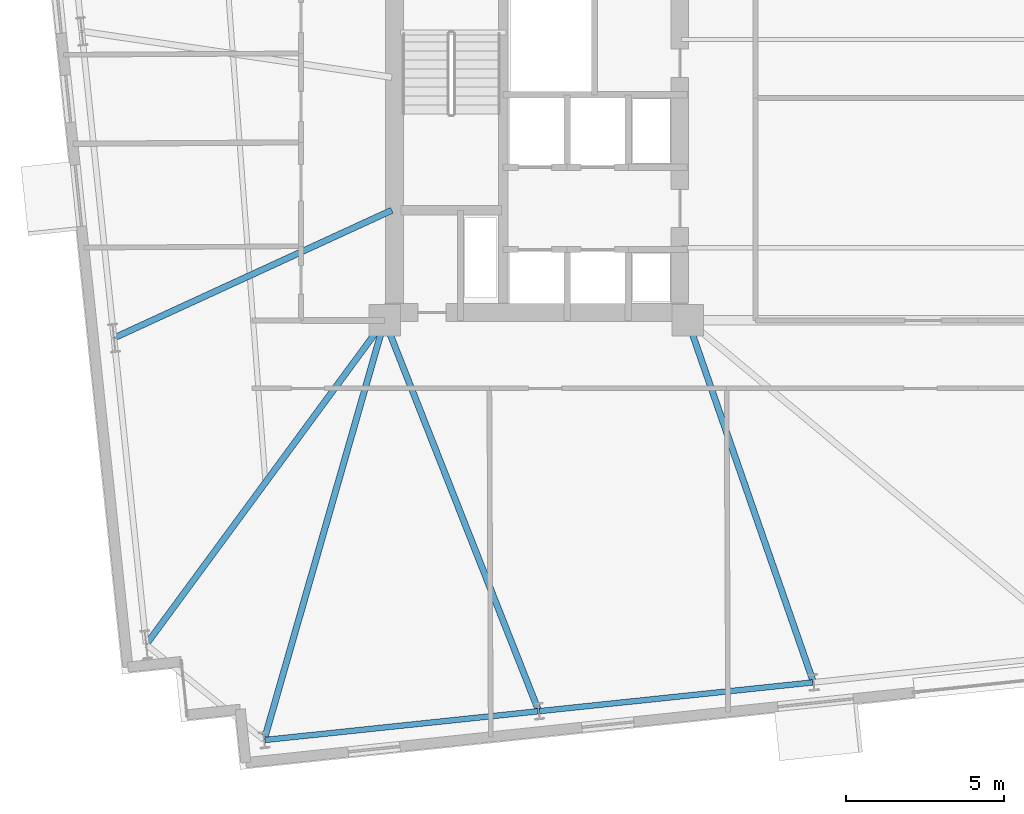
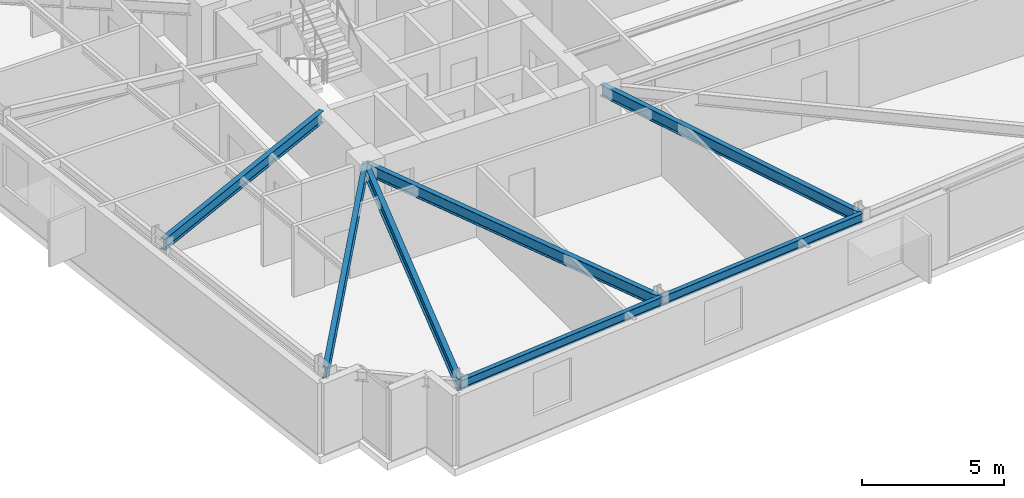
# One storey, part 5 of 23: 7 beams.
"""IFC4 building model written with IfcOpenShell, lengths in metres."""

import ifcopenshell
import ifcopenshell.guid

model = None  # the IFC model being written
_history = None  # IfcOwnerHistory: only IFC2X3 demands one
_inside = {}  # id of a spatial element -> (the spatial element, [elements in it])
_under = {}  # id of a project, library or spatial element -> (it, [spatial elements below it])
_declared = {}  # id of a project -> (the project, [libraries it declares])
_typed = {}  # id of a type object -> (the type object, [elements of that type])
_made_of = {}  # id of a material, layer set ... -> (it, [elements and type objects made of it])


def new_model(schema):
    """Start an empty IFC model of exactly this schema.

    Asked for "IFC4X3", IfcOpenShell would pick the latest addendum, in which some entities
    have other attributes; the version numbers below select the first issue.
    IFC2X3 requires an IfcOwnerHistory on every rooted entity: one is made here for all.
    """
    global model, _history
    if schema == "IFC4X3":
        model = ifcopenshell.file(schema_version=(4, 3, 0, 0))
    else:
        model = ifcopenshell.file(schema=schema)
    _inside.clear()
    _under.clear()
    _declared.clear()
    _typed.clear()
    _made_of.clear()
    _history = None
    if model.schema == "IFC2X3":
        org = make("IfcOrganization", Name="unknown")
        user = make(
            "IfcPersonAndOrganization",
            ThePerson=make("IfcPerson", FamilyName="unknown"),
            TheOrganization=org,
        )
        app = make(
            "IfcApplication",
            ApplicationDeveloper=org,
            Version="unknown",
            ApplicationFullName="unknown",
            ApplicationIdentifier="unknown",
        )
        _history = make(
            "IfcOwnerHistory",
            OwningUser=user,
            OwningApplication=app,
            ChangeAction="ADDED",
            CreationDate=0,
        )
    return model


def make(cls, **values):
    """One entity of the class cls with the attributes given. An attribute that is None is left unset."""
    return model.create_entity(
        cls, **{name: value for name, value in values.items() if value is not None}
    )


def rooted(cls, **values):
    """An entity with a GlobalId (a new one), such as an element, a storey or a relation."""
    return make(cls, GlobalId=ifcopenshell.guid.new(), OwnerHistory=_history, **values)


def si_unit(unit_type, name, prefix=None):
    """IfcSIUnit, for example si_unit("LENGTHUNIT", "METRE", prefix="MILLI")."""
    return make("IfcSIUnit", UnitType=unit_type, Prefix=prefix, Name=name)


def assignment(units):
    """IfcUnitAssignment: the units of a project."""
    return None if units is None else make("IfcUnitAssignment", Units=units)


def point(xyz):
    """IfcCartesianPoint."""
    return None if xyz is None else make("IfcCartesianPoint", Coordinates=xyz)


def direction(xyz):
    """IfcDirection."""
    return None if xyz is None else make("IfcDirection", DirectionRatios=xyz)


def frame(location, z_axis=None, x_axis=None):
    """IfcAxis2Placement3D, a coordinate frame: its origin and axes. An axis left out is left unset."""
    return make(
        "IfcAxis2Placement3D",
        Location=point(location),
        Axis=direction(z_axis),
        RefDirection=direction(x_axis),
    )


def frame_2d(location, x_axis=None):
    """IfcAxis2Placement2D, a coordinate frame in the plane: its origin and x axis."""
    return make(
        "IfcAxis2Placement2D", Location=point(location), RefDirection=direction(x_axis)
    )


def origin():
    """The frame at (0, 0, 0) with its axes left unset."""
    return frame((0.0, 0.0, 0.0))


def origin_2d():
    """The frame at (0, 0) in the plane with its x axis left unset."""
    return frame_2d((0.0, 0.0))


def place(relative_to, where):
    """IfcLocalPlacement: puts the frame where relative to a parent placement (None: the world)."""
    return make(
        "IfcLocalPlacement", PlacementRelTo=relative_to, RelativePlacement=where
    )


def context(
    kind, dimensions, precision=None, world=None, true_north=None, identifier=None
):
    """IfcGeometricRepresentationContext, for example the 3D "Model" context."""
    return make(
        "IfcGeometricRepresentationContext",
        ContextIdentifier=identifier,
        ContextType=kind,
        CoordinateSpaceDimension=dimensions,
        Precision=precision,
        WorldCoordinateSystem=world,
        TrueNorth=true_north,
    )


def subcontext(parent, identifier, kind, view, scale=None):
    """IfcGeometricRepresentationSubContext, for example "Body" below "Model"."""
    return make(
        "IfcGeometricRepresentationSubContext",
        ContextIdentifier=identifier,
        ContextType=kind,
        ParentContext=parent,
        TargetScale=scale,
        TargetView=view,
    )


def project(units=None, contexts=None):
    """IfcProject with its units and contexts."""
    return rooted(
        "IfcProject",
        Name="project",
        RepresentationContexts=contexts,
        UnitsInContext=assignment(units),
    )


def spatial(cls, under=None, at=None, **own):
    """A site, building, storey or space (cls), placed at a placement, below another one or the project."""
    s = rooted(cls, ObjectPlacement=at, **own)
    if under is not None:
        _under.setdefault(under.id(), (under, []))[1].append(s)
    return s


def profile(cls, at=None, kind="AREA", **sizes):
    """A parametric profile (cls). Its sizes go by their IFC names, for example OverallWidth=200.0."""
    return make(cls, ProfileType=kind, Position=at, **sizes)


def i_section(**sizes):
    """IfcIShapeProfileDef."""
    return profile("IfcIShapeProfileDef", **sizes)


def extrude(swept, where, along, depth):
    """IfcExtrudedAreaSolid: the profile swept, set in the frame where, extruded along a direction by depth."""
    return make(
        "IfcExtrudedAreaSolid",
        SweptArea=swept,
        Position=where,
        ExtrudedDirection=direction(along),
        Depth=depth,
    )


def shape(context_of_items, identifier, shape_type, items):
    """IfcShapeRepresentation: the items that make up one representation, for example the "Body"."""
    return make(
        "IfcShapeRepresentation",
        ContextOfItems=context_of_items,
        RepresentationIdentifier=identifier,
        RepresentationType=shape_type,
        Items=items,
    )


def material(Name=None, Category=None):
    """IfcMaterial."""
    return make("IfcMaterial", Name=Name, Category=Category)


def material_profile(
    of_material, cross_section, Name=None, Category=None, Priority=None
):
    """IfcMaterialProfile: a cross section and its material."""
    return make(
        "IfcMaterialProfile",
        Name=Name,
        Material=of_material,
        Profile=cross_section,
        Priority=Priority,
        Category=Category,
    )


def profile_set(profiles, Name=None, composite=None):
    """IfcMaterialProfileSet."""
    return make(
        "IfcMaterialProfileSet",
        Name=Name,
        MaterialProfiles=profiles,
        CompositeProfile=composite,
    )


def made_of(thing, what):
    """Note that an element or type object is made of a material, layer set ...; save() writes the relation."""
    if what is not None:
        _made_of.setdefault(what.id(), (what, []))[1].append(thing)
    return thing


def type_object(cls, material=None, **own):
    """A type object (cls), such as IfcWallType, which elements share."""
    return made_of(rooted(cls, **own), material)


def element(
    cls,
    number,
    at=None,
    inside=None,
    cuts=None,
    type_object=None,
    material=None,
    context=None,
    identifier="Body",
    shape_type=None,
    held_by="IfcProductDefinitionShape",
    body=None,
    shapes=None,
    **own,
):
    """One element of the class cls, such as IfcWall. Its Tag is "e" and its number.

    at: its placement. inside: the storey or other place that contains it. cuts: it is an
    opening in that element (IfcRelVoidsElement). A single representation is given by context,
    identifier, shape_type and body (its items); several are given by shapes. held_by: the class
    of the entity that holds the representations. save() writes the other relations.
    """
    e = rooted(cls, Tag="e%d" % number, ObjectPlacement=at, **own)
    if body is not None:
        shapes = [shape(context, identifier, shape_type, body)]
    if shapes is not None:
        e.Representation = make(held_by, Representations=shapes)
    if inside is not None:
        _inside.setdefault(inside.id(), (inside, []))[1].append(e)
    if cuts is not None:
        rooted(
            "IfcRelVoidsElement", RelatingBuildingElement=cuts, RelatedOpeningElement=e
        )
    if type_object is not None:
        _typed.setdefault(type_object.id(), (type_object, []))[1].append(e)
    return made_of(e, material)


def aggregate(whole, parts):
    """IfcRelAggregates: a whole, such as a stair, and the parts it consists of."""
    return rooted("IfcRelAggregates", RelatingObject=whole, RelatedObjects=parts)


def save(model, path):
    """Write the relations noted so far, then the file.

    IfcRelAggregates (storeys below a building ...), IfcRelContainedInSpatialStructure (elements
    in a storey), IfcRelDefinesByType, IfcRelAssociatesMaterial and IfcRelDeclares: one each for
    every whole, place, type object, material and project.
    """
    for whole, parts in _under.values():
        aggregate(whole, parts)
    for where, things in _inside.values():
        rooted(
            "IfcRelContainedInSpatialStructure",
            RelatedElements=things,
            RelatingStructure=where,
        )
    for kind, things in _typed.values():
        rooted("IfcRelDefinesByType", RelatedObjects=things, RelatingType=kind)
    for what, things in _made_of.values():
        rooted("IfcRelAssociatesMaterial", RelatedObjects=things, RelatingMaterial=what)
    for by, libraries in _declared.values():
        rooted("IfcRelDeclares", RelatingContext=by, RelatedDefinitions=libraries)
    model.write(path)


model = new_model("IFC4")

# Units and contexts
model_context = context("Model", 3, precision=1e-05, world=origin(), true_north=direction((0.0, 1.0)))
body_context = subcontext(model_context, "Body", "Model", "MODEL_VIEW")
ifc_project = project(units=[si_unit("LENGTHUNIT", "METRE"), si_unit("AREAUNIT", "SQUARE_METRE"), si_unit("VOLUMEUNIT", "CUBIC_METRE"), si_unit("PLANEANGLEUNIT", "RADIAN"), si_unit("MASSUNIT", "GRAM", prefix="KILO")], contexts=[model_context])

# Site, building, storey
site_placement = place(None, origin())
site = spatial("IfcSite", under=ifc_project, at=site_placement, CompositionType="ELEMENT")
building_placement = place(site_placement, origin())
building = spatial("IfcBuilding", under=site, at=building_placement, Name="Qobustan Lattice House", CompositionType="ELEMENT")
storey_placement = place(building_placement, frame((0.0, 0.0, 95.75)))
storey = spatial("IfcBuildingStorey", under=building, at=storey_placement, Name="L26", CompositionType="ELEMENT", Elevation=95.75)

# Beams
ifc_material_1 = material(Name="Steel S355", Category="steel")
ifc_material_profile_1 = material_profile(ifc_material_1, i_section(OverallWidth=0.199951171875, OverallDepth=0.5, WebThickness=0.01025390625, FlangeThickness=0.01611328125, FilletRadius=0.02099609375, at=origin_2d()), Name="IPE500")
ifc_profile_set_1 = profile_set([ifc_material_profile_1], Name="Steel S355")
beam_type_1 = type_object("IfcBeamType", Name="BM-FLG-IPE500", PredefinedType="USERDEFINED", material=ifc_profile_set_1)
beam_1_placement = place(storey_placement, frame((-22.612548828125, -18.87109375, 2.794921875), z_axis=(0.276115177845, 0.961124554136, 0.0), x_axis=(-0.961124554136, 0.276115177845, 0.0)))
element("IfcBeam", 1, at=beam_1_placement, inside=storey, type_object=beam_type_1, Name="L26 primary floor girder RAD-S1W", ObjectType="GIRDER", PredefinedType="USERDEFINED", context=body_context, shape_type="SweptSolid", body=[
    extrude(i_section(OverallWidth=0.199951171875, OverallDepth=0.5, WebThickness=0.01025390625, FlangeThickness=0.01611328125, FilletRadius=0.02099609375, at=origin_2d()), origin(), (0.0, 0.0, 1.0), 13.782958984375),
])
beam_2_placement = place(storey_placement, frame((-13.926513671875, -17.95703125, 2.794921875), z_axis=(-0.366884358141, 0.930266557365, 0.0), x_axis=(-0.930266557365, -0.366884358141, 0.0)))
element("IfcBeam", 2, at=beam_2_placement, inside=storey, type_object=beam_type_1, Name="L26 primary floor girder RAD-S2", ObjectType="GIRDER", PredefinedType="USERDEFINED", context=body_context, shape_type="SweptSolid", body=[
    extrude(i_section(OverallWidth=0.199951171875, OverallDepth=0.5, WebThickness=0.01025390625, FlangeThickness=0.01611328125, FilletRadius=0.02099609375, at=origin_2d()), origin(), (0.0, 0.0, 1.0), 13.25830078125),
])
beam_3_placement = place(storey_placement, frame((-5.223388671875, -17.0419921875, 2.794921875), z_axis=(-0.328289533586, 0.94457714462, 0.0), x_axis=(-0.94457714462, -0.328289533586, 0.0)))
element("IfcBeam", 3, at=beam_3_placement, inside=storey, type_object=beam_type_1, Name="L26 primary floor girder RAD-S3", ObjectType="GIRDER", PredefinedType="USERDEFINED", context=body_context, shape_type="SweptSolid", body=[
    extrude(i_section(OverallWidth=0.199951171875, OverallDepth=0.5, WebThickness=0.01025390625, FlangeThickness=0.01611328125, FilletRadius=0.02099609375, at=origin_2d()), origin(), (0.0, 0.0, 1.0), 12.08837890625),
])
beam_4_placement = place(storey_placement, frame((-27.3544921875, -6.1455078125, 2.794921875), z_axis=(0.908664928826, 0.417526103521, 0.0), x_axis=(-0.417526103521, 0.908664928826, 0.0)))
element("IfcBeam", 4, at=beam_4_placement, inside=storey, type_object=beam_type_1, Name="L26 primary floor girder RAD-W3", ObjectType="GIRDER", PredefinedType="USERDEFINED", context=body_context, shape_type="SweptSolid", body=[
    extrude(i_section(OverallWidth=0.199951171875, OverallDepth=0.5, WebThickness=0.01025390625, FlangeThickness=0.01611328125, FilletRadius=0.02099609375, at=origin_2d()), origin(), (0.0, 0.0, 1.0), 9.66455078125),
])
beam_5_placement = place(storey_placement, frame((-26.34130859375, -15.848876953125, 2.794921875), z_axis=(0.592669703312, 0.805445605101, 0.0), x_axis=(-0.805445605101, 0.592669703312, 0.0)))
element("IfcBeam", 5, at=beam_5_placement, inside=storey, type_object=beam_type_1, Name="L26 primary floor girder RAD-W4", ObjectType="GIRDER", PredefinedType="USERDEFINED", context=body_context, shape_type="SweptSolid", body=[
    extrude(i_section(OverallWidth=0.199951171875, OverallDepth=0.5, WebThickness=0.01025390625, FlangeThickness=0.01611328125, FilletRadius=0.02099609375, at=origin_2d()), origin(), (0.0, 0.0, 1.0), 12.699462890625),
])
ifc_material_2 = material(Name="Steel S355", Category="steel")
ifc_material_profile_2 = material_profile(ifc_material_2, i_section(OverallWidth=0.179931640625, OverallDepth=0.39990234375, WebThickness=0.008544921875, FlangeThickness=0.013427734375, FilletRadius=0.02099609375, at=origin_2d()), Name="IPE400")
ifc_profile_set_2 = profile_set([ifc_material_profile_2], Name="Steel S355")
beam_type_2 = type_object("IfcBeamType", Name="BM-SPD-IPE400", PredefinedType="SPANDREL", material=ifc_profile_set_2)
beam_6_placement = place(storey_placement, frame((-22.594482421875, -18.892333984375, 2.844970703125), z_axis=(0.994521279781, 0.10453432002, 0.0), x_axis=(-0.10453432002, 0.994521279781, 0.0)))
element("IfcBeam", 6, at=beam_6_placement, inside=storey, type_object=beam_type_2, Name="L26 perimeter spandrel S1-S2", PredefinedType="SPANDREL", context=body_context, shape_type="SweptSolid", body=[
    extrude(i_section(OverallWidth=0.179931640625, OverallDepth=0.39990234375, WebThickness=0.008544921875, FlangeThickness=0.013427734375, FilletRadius=0.02099609375, at=origin_2d()), origin(), (0.0, 0.0, 1.0), 8.69970703125),
])
beam_7_placement = place(storey_placement, frame((-13.892578125, -17.977783203125, 2.844970703125), z_axis=(0.994521586424, 0.104531402636, 0.0), x_axis=(-0.104531402636, 0.994521586424, 0.0)))
element("IfcBeam", 7, at=beam_7_placement, inside=storey, type_object=beam_type_2, Name="L26 perimeter spandrel S2-S3", PredefinedType="SPANDREL", context=body_context, shape_type="SweptSolid", body=[
    extrude(i_section(OverallWidth=0.179931640625, OverallDepth=0.39990234375, WebThickness=0.008544921875, FlangeThickness=0.013427734375, FilletRadius=0.02099609375, at=origin_2d()), origin(), (0.0, 0.0, 1.0), 8.699951171875),
])

save(model, "model.ifc")
